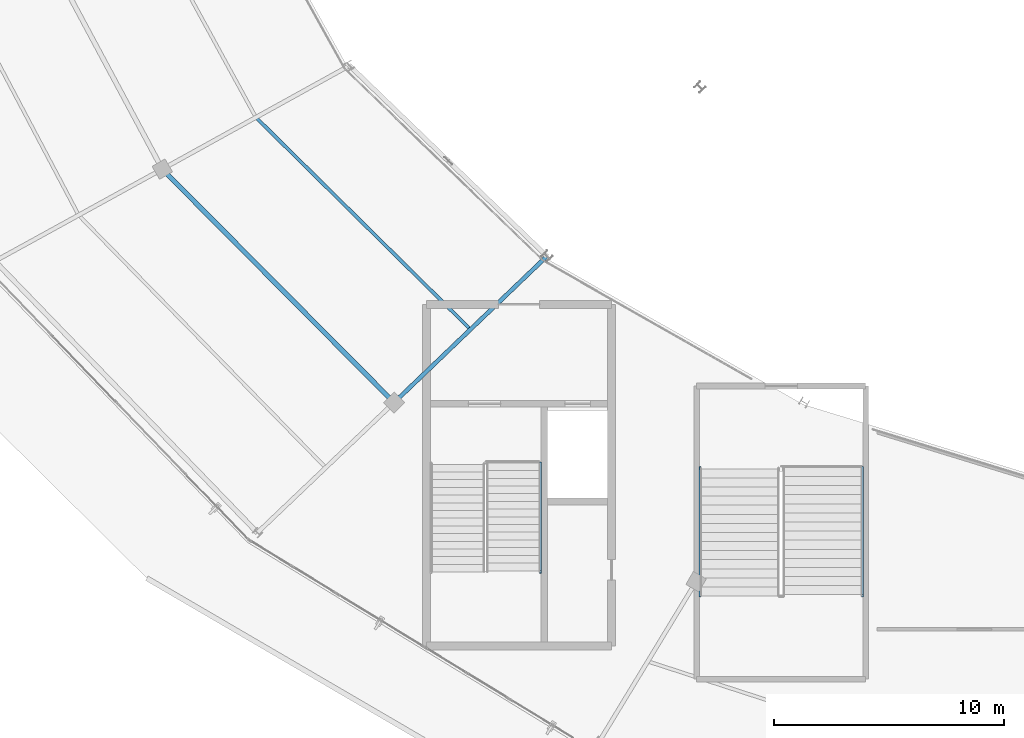
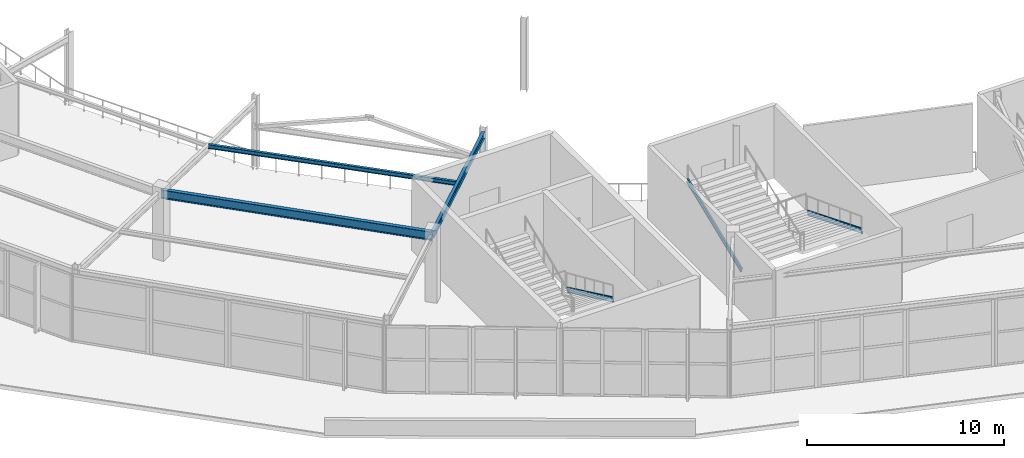
# One storey, part 23 of 126: 3 beams, 3 members.
"""IFC4 building model written with IfcOpenShell, lengths in metres."""

from ifc_helpers import new_model, si_unit, direction, frame, origin, origin_2d, place, context, subcontext, project, spatial, i_section, extrude, material, material_profile, profile_set, type_object, element, save


model = new_model("IFC4")

# Units and contexts
model_context = context("Model", 3, precision=1e-05, world=origin(), true_north=direction((0.0, 1.0)))
body_context = subcontext(model_context, "Body", "Model", "MODEL_VIEW")
ifc_project = project(units=[si_unit("LENGTHUNIT", "METRE"), si_unit("AREAUNIT", "SQUARE_METRE"), si_unit("VOLUMEUNIT", "CUBIC_METRE"), si_unit("PLANEANGLEUNIT", "RADIAN"), si_unit("MASSUNIT", "GRAM", prefix="KILO")], contexts=[model_context])

# Site, building, storey
site_placement = place(None, origin())
site = spatial("IfcSite", under=ifc_project, at=site_placement, CompositionType="ELEMENT")
building_placement = place(site_placement, origin())
building = spatial("IfcBuilding", under=site, at=building_placement, Name="Kalgoora Escarpment Arena", CompositionType="ELEMENT")
storey_placement = place(building_placement, frame((0.0, 0.0, 18.89990234375)))
storey = spatial("IfcBuildingStorey", under=building, at=storey_placement, Name="L04", CompositionType="ELEMENT", Elevation=18.89990234375)

# Beams
ifc_material_1 = material(Name="Structural steel AS/NZS 3679 (300 MPa)", Category="steel")
ifc_material_profile_1 = material_profile(ifc_material_1, i_section(OverallWidth=0.14599609375, OverallDepth=0.256103515625, WebThickness=0.00634765625, FlangeThickness=0.010986328125, at=origin_2d()))
ifc_profile_set_1 = profile_set([ifc_material_profile_1], Name="Structural steel AS/NZS 3679 (300 MPa)")
beam_type_1 = type_object("IfcBeamType", Name="BM-BEAM-250UB37.3", PredefinedType="BEAM", material=ifc_profile_set_1)
beam_1_placement = place(storey_placement, frame((41.564208984375, 41.75, 4.08203125), z_axis=(0.711375847759, -0.702811783641, 0.0), x_axis=(0.702811783641, 0.711375847759, 0.0)))
element("IfcBeam", 1, at=beam_1_placement, inside=storey, type_object=beam_type_1, Name="L04 Concourse secondary ring beam 250UB37.3", PredefinedType="BEAM", context=body_context, shape_type="SweptSolid", body=[
    extrude(i_section(OverallWidth=0.14599609375, OverallDepth=0.256103515625, WebThickness=0.00634765625, FlangeThickness=0.010986328125, at=origin_2d()), origin(), (0.0, 0.0, 1.0), 13.113525390625),
])
ifc_material_2 = material(Name="Structural steel AS/NZS 3679 (300 MPa)", Category="steel")
ifc_material_profile_2 = material_profile(ifc_material_2, i_section(OverallWidth=0.177978515625, OverallDepth=0.406005859375, WebThickness=0.0078125, FlangeThickness=0.0126953125, at=origin_2d()))
ifc_profile_set_2 = profile_set([ifc_material_profile_2], Name="Structural steel AS/NZS 3679 (300 MPa)")
beam_type_2 = type_object("IfcBeamType", Name="BM-GIRDER-410UB59.7", PredefinedType="USERDEFINED", material=ifc_profile_set_2)
beam_2_placement = place(storey_placement, frame((54.21630859375, 35.7158203125, 4.007080078125), z_axis=(-0.722313931554, -0.691565314546, 0.0), x_axis=(0.691565314546, -0.722313931554, 0.0)))
element("IfcBeam", 2, at=beam_2_placement, inside=storey, type_object=beam_type_2, Name="L04 Radial concourse girder 410UB59.7", ObjectType="GIRDER", PredefinedType="USERDEFINED", context=body_context, shape_type="SweptSolid", body=[
    extrude(i_section(OverallWidth=0.177978515625, OverallDepth=0.406005859375, WebThickness=0.0078125, FlangeThickness=0.0126953125, at=origin_2d()), origin(), (0.0, 0.0, 1.0), 9.202392578125),
])
ifc_material_3 = material(Name="Structural steel AS/NZS 3679 (300 MPa)", Category="steel")
ifc_material_profile_3 = material_profile(ifc_material_3, i_section(OverallWidth=0.208984375, OverallDepth=0.532958984375, WebThickness=0.01025390625, FlangeThickness=0.015625, at=origin_2d()))
ifc_profile_set_3 = profile_set([ifc_material_profile_3], Name="Structural steel AS/NZS 3679 (300 MPa)")
beam_type_3 = type_object("IfcBeamType", Name="BM-GIRDER-530UB92.4", PredefinedType="USERDEFINED", material=ifc_profile_set_3)
beam_3_placement = place(storey_placement, frame((37.493896484375, 39.5, 3.943603515625), z_axis=(0.704558426859, -0.709645984377, 0.0), x_axis=(0.709645984377, 0.704558426859, 0.0)))
element("IfcBeam", 3, at=beam_3_placement, inside=storey, type_object=beam_type_3, Name="L04 Circumferential concourse girder RCONC1 530UB92.4", ObjectType="GIRDER", PredefinedType="USERDEFINED", context=body_context, shape_type="SweptSolid", body=[
    extrude(i_section(OverallWidth=0.208984375, OverallDepth=0.532958984375, WebThickness=0.01025390625, FlangeThickness=0.015625, at=origin_2d()), origin(), (0.0, 0.0, 1.0), 14.30029296875),
])

# Members
ifc_material_4 = material(Name="Structural steel AS/NZS 3679 (300 MPa)", Category="steel")
ifc_material_profile_4 = material_profile(ifc_material_4, i_section(OverallWidth=0.090087890625, OverallDepth=0.300048828125, WebThickness=0.008056640625, FlangeThickness=0.01611328125, at=origin_2d()))
ifc_profile_set_4 = profile_set([ifc_material_profile_4], Name="Structural steel AS/NZS 3679 (300 MPa)")
member_type = type_object("IfcMemberType", Name="MEM-STRINGER-PFC", PredefinedType="STRINGER", material=ifc_profile_set_4)
member_placement = place(storey_placement, frame((53.929931640625, 26.7099609375, -0.039794921875), z_axis=(0.0, -0.902682652253, 0.430306901317), x_axis=(1.0, 0.0, 0.0)))
element("IfcMember", 4, at=member_placement, inside=storey, type_object=member_type, Name="ST05 L04 steel stair stringer 1", PredefinedType="STRINGER", context=body_context, shape_type="SweptSolid", body=[
    extrude(i_section(OverallWidth=0.090087890625, OverallDepth=0.300048828125, WebThickness=0.008056640625, FlangeThickness=0.01611328125, at=origin_2d()), origin(), (0.0, 0.0, 1.0), 5.228759765625),
])
for number, where, z_axis, x_axis, name in (
    (5, (67.929931640625, 26.510009765625, -0.039794921875), (0.0, -0.926975796404, 0.375121144273), (1.0, 0.0, 0.0), "ST13 L04 steel stair stringer 1"),
    (6, (60.8701171875, 20.949951171875, 2.210205078125), (0.0, 0.926975796404, 0.375121144273), (-1.0, 0.0, 0.0), "ST13 L04 steel stair stringer 2"),
):
    element("IfcMember", number, at=place(storey_placement, frame(where, z_axis=z_axis, x_axis=x_axis)), inside=storey, type_object=member_type, Name=name, PredefinedType="STRINGER", context=body_context, shape_type="SweptSolid", body=[
        extrude(i_section(OverallWidth=0.090087890625, OverallDepth=0.300048828125, WebThickness=0.008056640625, FlangeThickness=0.01611328125, at=origin_2d()), origin(), (0.0, 0.0, 1.0), 5.998046875),
    ])

save(model, "model.ifc")
